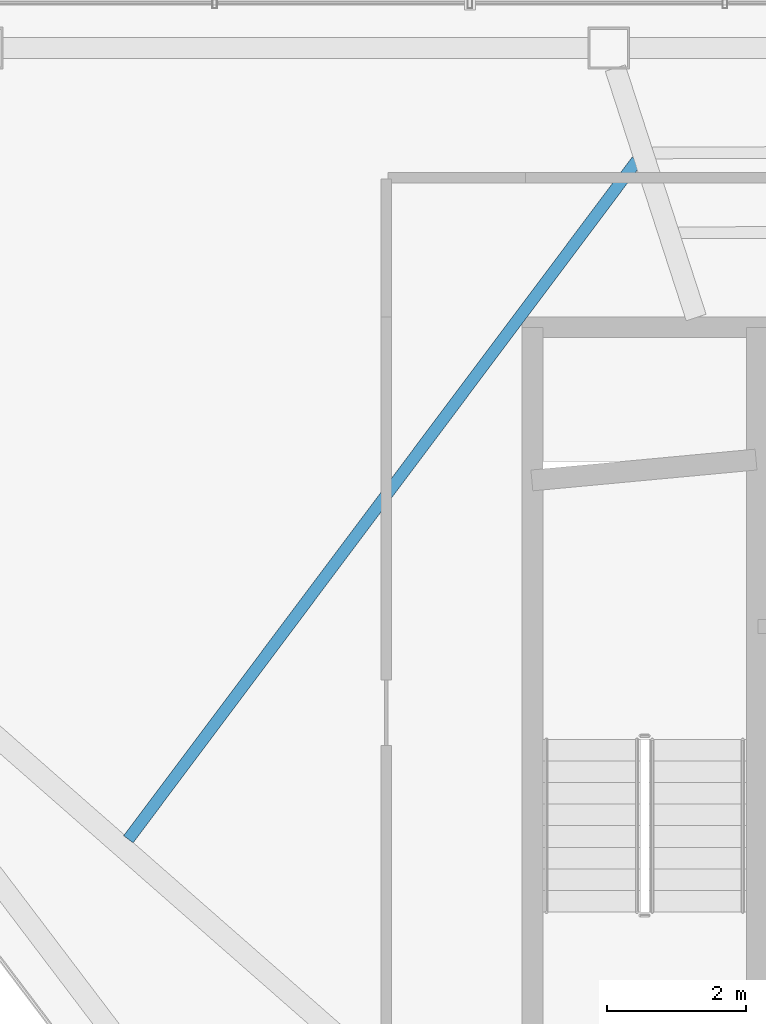
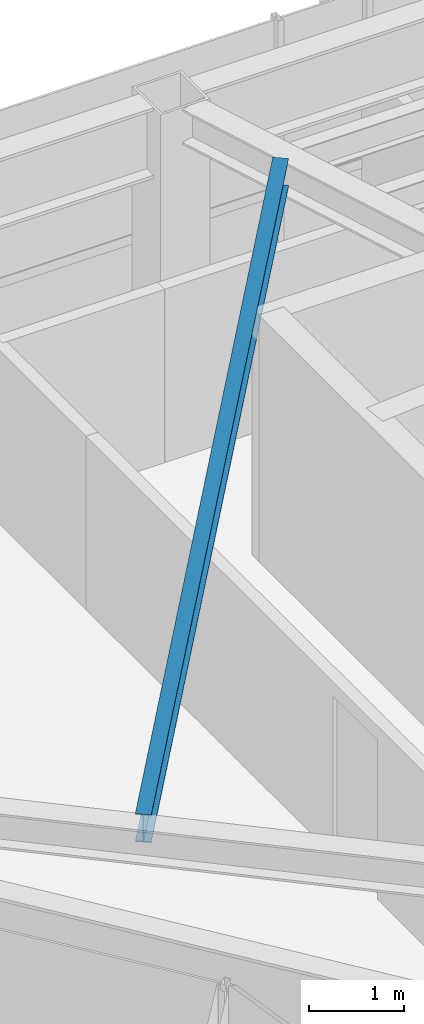
# One storey, part 9 of 25: 1 beam.
"""IFC4 building model written with IfcOpenShell, lengths in metres."""

from ifc_helpers import new_model, si_unit, direction, frame, origin, origin_2d, place, context, subcontext, project, spatial, i_section, extrude, material, material_profile, profile_set, type_object, element, save


model = new_model("IFC4")

# Units and contexts
model_context = context("Model", 3, precision=1e-05, world=origin(), true_north=direction((0.0, 1.0)))
body_context = subcontext(model_context, "Body", "Model", "MODEL_VIEW")
ifc_project = project(units=[si_unit("LENGTHUNIT", "METRE"), si_unit("AREAUNIT", "SQUARE_METRE"), si_unit("VOLUMEUNIT", "CUBIC_METRE"), si_unit("PLANEANGLEUNIT", "RADIAN"), si_unit("MASSUNIT", "GRAM", prefix="KILO")], contexts=[model_context])

# Site, building, storey
site_placement = place(None, origin())
site = spatial("IfcSite", under=ifc_project, at=site_placement, CompositionType="ELEMENT")
building_placement = place(site_placement, origin())
building = spatial("IfcBuilding", under=site, at=building_placement, Name="Zarrinselat Tower", CompositionType="ELEMENT")
storey_placement = place(building_placement, frame((0.0, 0.0, 242.760009765625)))
storey = spatial("IfcBuildingStorey", under=building, at=storey_placement, Name="L61", CompositionType="ELEMENT", Elevation=242.760009765625)

# Beam
ifc_material = material(Name="Steel S355J2", Category="steel")
ifc_material_profile = material_profile(ifc_material, i_section(OverallWidth=0.169921875, OverallDepth=0.360107421875, WebThickness=0.008056640625, FlangeThickness=0.0126953125, at=origin_2d()), Name="IPE 360")
ifc_profile_set = profile_set([ifc_material_profile], Name="Steel S355J2")
beam_type = type_object("IfcBeamType", Name="BM-IPE360", PredefinedType="JOIST", material=ifc_profile_set)
beam_placement = place(storey_placement, frame((22.84326171875, 36.044677734375, 3.0), z_axis=(0.599685711425, 0.800235619998, 0.0), x_axis=(-0.800235619998, 0.599685711425, 0.0)))
element("IfcBeam", 1, at=beam_placement, inside=storey, type_object=beam_type, Name="L61 Composite Floor Joist 9-1", PredefinedType="JOIST", context=body_context, shape_type="SweptSolid", body=[
    extrude(i_section(OverallWidth=0.169921875, OverallDepth=0.360107421875, WebThickness=0.008056640625, FlangeThickness=0.0126953125, at=origin_2d()), origin(), (0.0, 0.0, 1.0), 12.18212890625),
])

save(model, "model.ifc")
